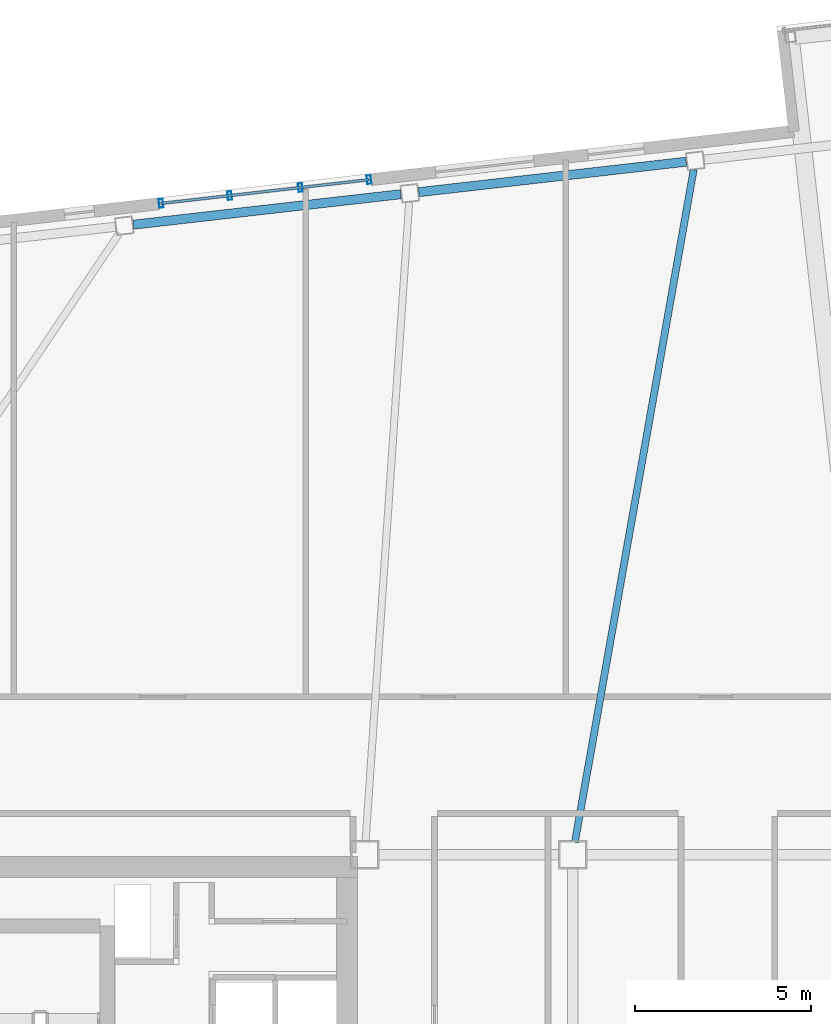
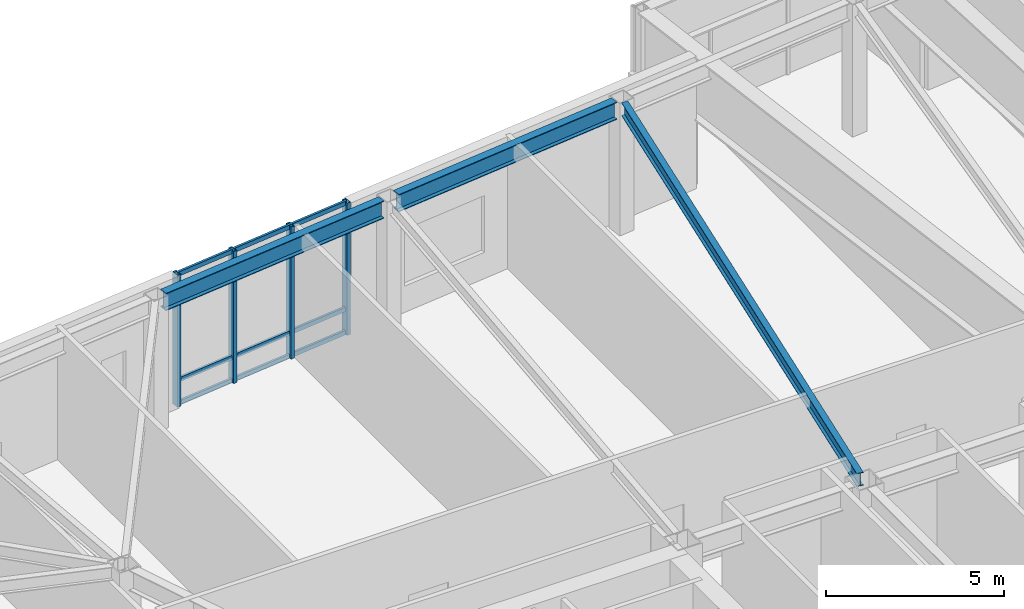
# One storey, part 10 of 21: 7 members, 3 beams, 1 element without a shape of its own.
"""IFC4 building model written with IfcOpenShell, lengths in metres."""

from ifc_helpers import new_model, si_unit, direction, frame, origin, origin_2d, place, context, subcontext, project, spatial, hollow_rectangle, i_section, extrude, material, layer, layer_set, material_profile, profile_set, type_object, element, aggregate, save


model = new_model("IFC4")

# Units and contexts
model_context = context("Model", 3, precision=1e-05, world=origin(), true_north=direction((0.0, 1.0)))
body_context = subcontext(model_context, "Body", "Model", "MODEL_VIEW")
ifc_project = project(units=[si_unit("LENGTHUNIT", "METRE"), si_unit("AREAUNIT", "SQUARE_METRE"), si_unit("VOLUMEUNIT", "CUBIC_METRE"), si_unit("PLANEANGLEUNIT", "RADIAN"), si_unit("MASSUNIT", "GRAM", prefix="KILO")], contexts=[model_context])

# Site, building, storey
site_placement = place(None, origin())
site = spatial("IfcSite", under=ifc_project, at=site_placement, CompositionType="ELEMENT")
building_placement = place(site_placement, origin())
building = spatial("IfcBuilding", under=site, at=building_placement, Name="Tavrogorsk Clinical Tower", CompositionType="ELEMENT")
storey_placement = place(building_placement, frame((0.0, 0.0, 238.199951171875)))
storey = spatial("IfcBuildingStorey", under=building, at=storey_placement, Name="L55", CompositionType="ELEMENT", Elevation=238.199951171875)

# Curtain wall, members
ifc_material_1 = material(Name="Anodised aluminium and triple IGU glazing", Category="aluminium")
ifc_layer = layer(ifc_material_1, 0.179931640625)
ifc_layer_set = layer_set([ifc_layer], Name="Anodised aluminium and triple IGU glazing")
curtain_wall_type = type_object("IfcCurtainWallType", Name="CW5_SkyLobby", PredefinedType="NOTDEFINED", material=ifc_layer_set)
curtain_wall_placement = place(storey_placement, origin())
curtain_wall = element("IfcCurtainWall", 1, at=curtain_wall_placement, inside=storey, type_object=curtain_wall_type, Name="L55 Curtain Wall CW-L55-N-CW5-1", PredefinedType="NOTDEFINED")
ifc_material_2 = material(Name="Anodised aluminium alloy AW-6060", Category="aluminium")
ifc_material_profile_1 = material_profile(ifc_material_2, hollow_rectangle(XDim=0.1201171875, YDim=0.239990234375, WallThickness=0.008056640625, at=origin_2d()), Name="RHS-240x120x8")
ifc_profile_set_1 = profile_set([ifc_material_profile_1], Name="Anodised aluminium alloy AW-6060")
member_type_1 = type_object("IfcMemberType", Name="CwMullion_240x120", PredefinedType="MULLION", material=ifc_profile_set_1)
member_1_placement = place(storey_placement, frame((-10.177001953125, 25.494140625, 0.0), z_axis=(0.0, 0.0, 1.0), x_axis=(-0.993571867648, -0.113203108698, 0.0)))
member_1 = element("IfcMember", 2, at=member_1_placement, type_object=member_type_1, Name="CW-L55-N-CW5-1 Mullion 1", PredefinedType="MULLION", context=body_context, shape_type="SweptSolid", body=[
    extrude(hollow_rectangle(XDim=0.1201171875, YDim=0.239990234375, WallThickness=0.008056640625, at=origin_2d()), origin(), (0.0, 0.0, 1.0), 4.5400390625),
])
member_2_placement = place(storey_placement, frame((-12.123046875, 25.2724609375, 0.0), z_axis=(0.0, 0.0, 1.0), x_axis=(-0.993571867648, -0.113203108698, 0.0)))
member_2 = element("IfcMember", 3, at=member_2_placement, type_object=member_type_1, Name="CW-L55-N-CW5-1 Mullion 2", PredefinedType="MULLION", context=body_context, shape_type="SweptSolid", body=[
    extrude(hollow_rectangle(XDim=0.1201171875, YDim=0.239990234375, WallThickness=0.008056640625, at=origin_2d()), origin(), (0.0, 0.0, 1.0), 4.5400390625),
])
member_3_placement = place(storey_placement, frame((-14.128662109375, 25.0439453125, 0.0), z_axis=(0.0, 0.0, 1.0), x_axis=(-0.993571867648, -0.113203108698, 0.0)))
member_3 = element("IfcMember", 4, at=member_3_placement, type_object=member_type_1, Name="CW-L55-N-CW5-1 Mullion 3", PredefinedType="MULLION", context=body_context, shape_type="SweptSolid", body=[
    extrude(hollow_rectangle(XDim=0.1201171875, YDim=0.239990234375, WallThickness=0.008056640625, at=origin_2d()), origin(), (0.0, 0.0, 1.0), 4.5400390625),
])
member_4_placement = place(storey_placement, frame((-16.074951171875, 24.822265625, 0.0), z_axis=(0.0, 0.0, 1.0), x_axis=(-0.993571867648, -0.113203108698, 0.0)))
member_4 = element("IfcMember", 5, at=member_4_placement, type_object=member_type_1, Name="CW-L55-N-CW5-1 Mullion 4", PredefinedType="MULLION", context=body_context, shape_type="SweptSolid", body=[
    extrude(hollow_rectangle(XDim=0.1201171875, YDim=0.239990234375, WallThickness=0.008056640625, at=origin_2d()), origin(), (0.0, 0.0, 1.0), 4.5400390625),
])
ifc_material_3 = material(Name="Anodised aluminium alloy AW-6060", Category="aluminium")
ifc_material_profile_2 = material_profile(ifc_material_3, hollow_rectangle(XDim=0.074951171875, YDim=0.14990234375, WallThickness=0.0048828125, at=origin_2d()), Name="RHS-150x75x5")
ifc_profile_set_2 = profile_set([ifc_material_profile_2], Name="Anodised aluminium alloy AW-6060")
member_type_2 = type_object("IfcMemberType", Name="CwTransom_150x75", PredefinedType="USERDEFINED", material=ifc_profile_set_2)
member_5_placement = place(storey_placement, frame((-10.177001953125, 25.494140625, 0.050048828125), z_axis=(-0.993573966887, -0.113184682377, 0.0), x_axis=(0.113184682377, -0.993573966887, 0.0)))
member_5 = element("IfcMember", 6, at=member_5_placement, type_object=member_type_2, Name="CW-L55-N-CW5-1 Transom 1", ObjectType="TRANSOM", PredefinedType="USERDEFINED", context=body_context, shape_type="SweptSolid", body=[
    extrude(hollow_rectangle(XDim=0.074951171875, YDim=0.14990234375, WallThickness=0.0048828125, at=origin_2d()), origin(), (0.0, 0.0, 1.0), 5.93603515625),
])
member_6_placement = place(storey_placement, frame((-10.177001953125, 25.494140625, 0.85009765625), z_axis=(-0.993573966887, -0.113184682377, 0.0), x_axis=(0.113184682377, -0.993573966887, 0.0)))
member_6 = element("IfcMember", 7, at=member_6_placement, type_object=member_type_2, Name="CW-L55-N-CW5-1 Transom 2", ObjectType="TRANSOM", PredefinedType="USERDEFINED", context=body_context, shape_type="SweptSolid", body=[
    extrude(hollow_rectangle(XDim=0.074951171875, YDim=0.14990234375, WallThickness=0.0048828125, at=origin_2d()), origin(), (0.0, 0.0, 1.0), 5.93603515625),
])
member_7_placement = place(storey_placement, frame((-10.177001953125, 25.494140625, 4.489990234375), z_axis=(-0.993573966887, -0.113184682377, 0.0), x_axis=(0.113184682377, -0.993573966887, 0.0)))
member_7 = element("IfcMember", 8, at=member_7_placement, type_object=member_type_2, Name="CW-L55-N-CW5-1 Transom 3", ObjectType="TRANSOM", PredefinedType="USERDEFINED", context=body_context, shape_type="SweptSolid", body=[
    extrude(hollow_rectangle(XDim=0.074951171875, YDim=0.14990234375, WallThickness=0.0048828125, at=origin_2d()), origin(), (0.0, 0.0, 1.0), 5.93603515625),
])
aggregate(curtain_wall, [member_1, member_2, member_3, member_4, member_5, member_6, member_7])

# Beams
ifc_material_4 = material(Name="Structural steel S355", Category="steel")
ifc_material_profile_3 = material_profile(ifc_material_4, i_section(OverallWidth=0.199951171875, OverallDepth=0.449951171875, WebThickness=0.011474609375, FlangeThickness=0.01806640625, at=origin_2d()), Name="B-450x200x11.5x18")
ifc_profile_set_3 = profile_set([ifc_material_profile_3], Name="Structural steel S355")
beam_type_1 = type_object("IfcBeamType", Name="FloorBeam_B450", PredefinedType="BEAM", material=ifc_profile_set_3)
beam_placement = place(storey_placement, frame((-4.33740234375, 6.70458984375, 4.31494140625), z_axis=(0.173894614236, 0.984764267802, 0.0), x_axis=(-0.984764267802, 0.173894614236, 0.0)))
element("IfcBeam", 9, at=beam_placement, inside=storey, type_object=beam_type_1, Name="L55 Radial Floor Beam N4", PredefinedType="BEAM", context=body_context, shape_type="SweptSolid", body=[
    extrude(i_section(OverallWidth=0.199951171875, OverallDepth=0.449951171875, WebThickness=0.011474609375, FlangeThickness=0.01806640625, at=origin_2d()), origin(), (0.0, 0.0, 1.0), 19.371826171875),
])
ifc_material_5 = material(Name="Structural steel S390", Category="steel")
ifc_material_profile_4 = material_profile(ifc_material_5, i_section(OverallWidth=0.260009765625, OverallDepth=0.60009765625, WebThickness=0.014892578125, FlangeThickness=0.02392578125, at=origin_2d()), Name="B-600x260x15x24")
ifc_profile_set_4 = profile_set([ifc_material_profile_4], Name="Structural steel S390")
beam_type_2 = type_object("IfcBeamType", Name="SpandrelBeam_B600", PredefinedType="SPANDREL", material=ifc_profile_set_4)
for number, where, z_axis, x_axis, name in (
    (10, (-1.18017578125, 26.006103515625, 4.239990234375), (-0.993568501687, -0.113232647478, 0.0), (0.113232647478, -0.993568501687, 0.0), "L55 Perimeter Spandrel N4-N5"),
    (11, (-9.2763671875, 25.08349609375, 4.239990234375), (-0.993572099834, -0.113201070804, 0.0), (0.113201070804, -0.993572099834, 0.0), "L55 Perimeter Spandrel N5-N6"),
):
    element("IfcBeam", number, at=place(storey_placement, frame(where, z_axis=z_axis, x_axis=x_axis)), inside=storey, type_object=beam_type_2, Name=name, PredefinedType="SPANDREL", context=body_context, shape_type="SweptSolid", body=[
        extrude(i_section(OverallWidth=0.260009765625, OverallDepth=0.60009765625, WebThickness=0.014892578125, FlangeThickness=0.02392578125, at=origin_2d()), origin(), (0.0, 0.0, 1.0), 7.632568359375),
    ])

save(model, "model.ifc")
